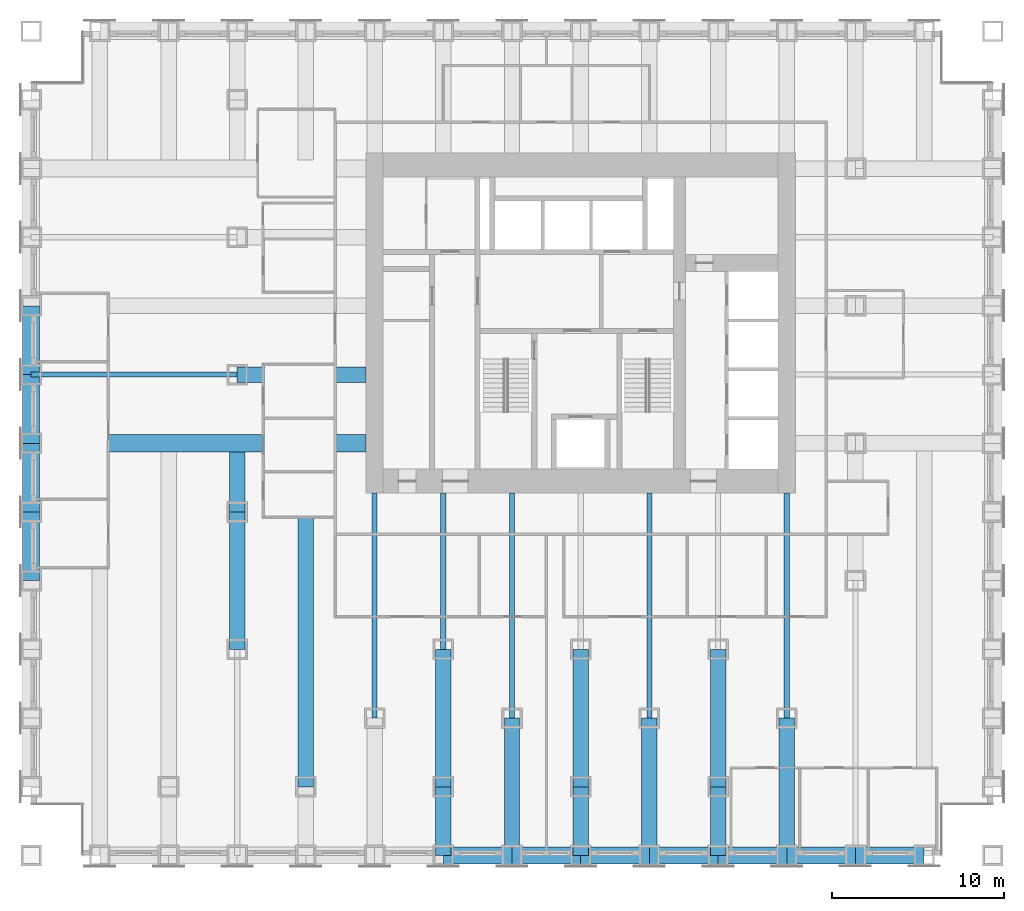
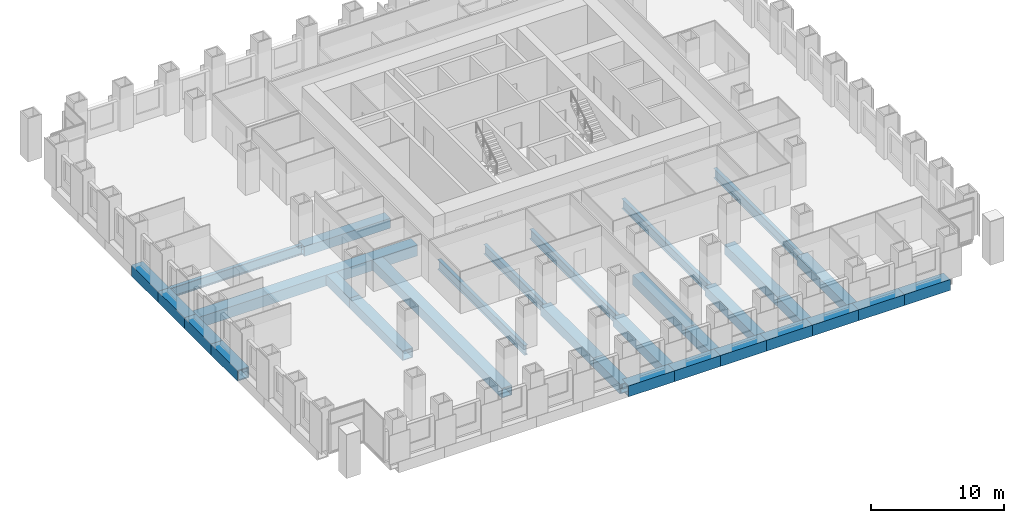
# One storey, part 3 of 15: 31 beams.
"""IFC4 building model written with IfcOpenShell, lengths in metres."""

from ifc_helpers import new_model, si_unit, direction, frame, origin, origin_2d, place, context, subcontext, project, spatial, hollow_rectangle, i_section, extrude, material, material_profile, profile_set, type_object, element, save


model = new_model("IFC4")

# Units and contexts
model_context = context("Model", 3, precision=1e-05, world=origin(), true_north=direction((0.0, 1.0)))
body_context = subcontext(model_context, "Body", "Model", "MODEL_VIEW")
ifc_project = project(units=[si_unit("LENGTHUNIT", "METRE"), si_unit("AREAUNIT", "SQUARE_METRE"), si_unit("VOLUMEUNIT", "CUBIC_METRE"), si_unit("PLANEANGLEUNIT", "RADIAN"), si_unit("MASSUNIT", "GRAM", prefix="KILO")], contexts=[model_context])

# Site, building, storey
site_placement = place(None, origin())
site = spatial("IfcSite", under=ifc_project, at=site_placement, CompositionType="ELEMENT")
building_placement = place(site_placement, origin())
building = spatial("IfcBuilding", under=site, at=building_placement, Name="Rimbunsela Tower", CompositionType="ELEMENT")
storey_placement = place(building_placement, frame((0.0, 0.0, 39.0)))
storey = spatial("IfcBuildingStorey", under=building, at=storey_placement, Name="L09", CompositionType="ELEMENT", Elevation=39.0)

# Beams
ifc_material_1 = material(Name="Steel BJ 55 (fy 410 MPa)", Category="steel")
ifc_material_profile_1 = material_profile(ifc_material_1, hollow_rectangle(XDim=1.0, YDim=1.0, WallThickness=0.10009765625, at=origin_2d()), Name="BOX 1000x1000x100")
ifc_profile_set_1 = profile_set([ifc_material_profile_1], Name="Steel BJ 55 (fy 410 MPa)")
beam_type_1 = type_object("IfcBeamType", Name="Beam BOX 1000x1000x100", PredefinedType="BEAM", material=ifc_profile_set_1)
for number, where, z_axis, x_axis, name in (
    (1, (-2.0, 12.0, -0.64990234375), (0.0, 1.0, 0.0), (-1.0, 0.0, 0.0), "Beam B3 L09"),
    (2, (-2.0, 16.0, -0.64990234375), (0.0, 1.0, 0.0), (-1.0, 0.0, 0.0), "Beam B3 L09"),
    (3, (-2.0, 20.0, -0.64990234375), (0.0, 1.0, 0.0), (-1.0, 0.0, 0.0), "Beam B3 L09"),
):
    element("IfcBeam", number, at=place(storey_placement, frame(where, z_axis=z_axis, x_axis=x_axis)), inside=storey, type_object=beam_type_1, Name=name, PredefinedType="BEAM", context=body_context, shape_type="SweptSolid", body=[
        extrude(hollow_rectangle(XDim=1.0, YDim=1.0, WallThickness=0.10009765625, at=origin_2d()), origin(), (0.0, 0.0, 1.0), 4.0),
    ])
beam_1_placement = place(storey_placement, frame((-2.0, 20.0, -0.64990234375), z_axis=(1.0, 0.0, 0.0), x_axis=(0.0, 1.0, 0.0)))
element("IfcBeam", 4, at=beam_1_placement, inside=storey, type_object=beam_type_1, Name="Beam B3 L09", PredefinedType="BEAM", context=body_context, shape_type="SweptSolid", body=[
    extrude(hollow_rectangle(XDim=1.0, YDim=1.0, WallThickness=0.10009765625, at=origin_2d()), origin(), (0.0, 0.0, 1.0), 19.5),
])
for number, where, z_axis, x_axis, name in (
    (5, (-2.0, 24.0, -0.64990234375), (0.0, 1.0, 0.0), (-1.0, 0.0, 0.0), "Beam B3 L09"),
    (6, (22.0, -4.0, -0.64990234375), (1.0, 0.0, 0.0), (0.0, 1.0, 0.0), "Beam B3 L09"),
    (7, (26.0, -4.0, -0.64990234375), (1.0, 0.0, 0.0), (0.0, 1.0, 0.0), "Beam B3 L09"),
    (8, (30.0, -4.0, -0.64990234375), (1.0, 0.0, 0.0), (0.0, 1.0, 0.0), "Beam B3 L09"),
    (9, (34.0, -4.0, -0.64990234375), (1.0, 0.0, 0.0), (0.0, 1.0, 0.0), "Beam B3 L09"),
    (10, (38.0, -4.0, -0.64990234375), (1.0, 0.0, 0.0), (0.0, 1.0, 0.0), "Beam B3 L09"),
    (11, (42.0, -4.0, -0.64990234375), (1.0, 0.0, 0.0), (0.0, 1.0, 0.0), "Beam B3 L09"),
    (12, (46.0, -4.0, -0.64990234375), (1.0, 0.0, 0.0), (0.0, 1.0, 0.0), "Beam B3 L09"),
):
    element("IfcBeam", number, at=place(storey_placement, frame(where, z_axis=z_axis, x_axis=x_axis)), inside=storey, type_object=beam_type_1, Name=name, PredefinedType="BEAM", context=body_context, shape_type="SweptSolid", body=[
        extrude(hollow_rectangle(XDim=1.0, YDim=1.0, WallThickness=0.10009765625, at=origin_2d()), origin(), (0.0, 0.0, 1.0), 4.0),
    ])
ifc_material_2 = material(Name="Steel BJ 55 (fy 410 MPa)", Category="steel")
ifc_material_profile_2 = material_profile(ifc_material_2, hollow_rectangle(XDim=0.89990234375, YDim=0.89990234375, WallThickness=0.06005859375, at=origin_2d()), Name="BOX 900x900x60")
ifc_profile_set_2 = profile_set([ifc_material_profile_2], Name="Steel BJ 55 (fy 410 MPa)")
beam_type_2 = type_object("IfcBeamType", Name="Beam BOX 900x900x60", PredefinedType="BEAM", material=ifc_profile_set_2)
beam_2_placement = place(storey_placement, frame((10.0, 8.0, -0.60009765625), z_axis=(0.0, 1.0, 0.0), x_axis=(-1.0, 0.0, 0.0)))
element("IfcBeam", 13, at=beam_2_placement, inside=storey, type_object=beam_type_2, Name="Beam B1 L09", PredefinedType="BEAM", context=body_context, shape_type="SweptSolid", body=[
    extrude(hollow_rectangle(XDim=0.89990234375, YDim=0.89990234375, WallThickness=0.06005859375, at=origin_2d()), origin(), (0.0, 0.0, 1.0), 8.0),
])
beam_3_placement = place(storey_placement, frame((10.0, 16.0, -0.60009765625), z_axis=(0.0, 1.0, 0.0), x_axis=(-1.0, 0.0, 0.0)))
element("IfcBeam", 14, at=beam_3_placement, inside=storey, type_object=beam_type_2, Name="Beam B1 L09", PredefinedType="BEAM", context=body_context, shape_type="SweptSolid", body=[
    extrude(hollow_rectangle(XDim=0.89990234375, YDim=0.89990234375, WallThickness=0.06005859375, at=origin_2d()), origin(), (0.0, 0.0, 1.0), 3.5),
])
beam_4_placement = place(storey_placement, frame((10.0, 24.0, -0.60009765625), z_axis=(1.0, 0.0, 0.0), x_axis=(0.0, 1.0, 0.0)))
element("IfcBeam", 15, at=beam_4_placement, inside=storey, type_object=beam_type_2, Name="Beam B1 L09", PredefinedType="BEAM", context=body_context, shape_type="SweptSolid", body=[
    extrude(hollow_rectangle(XDim=0.89990234375, YDim=0.89990234375, WallThickness=0.06005859375, at=origin_2d()), origin(), (0.0, 0.0, 1.0), 7.5),
])
beam_5_placement = place(storey_placement, frame((14.0, 0.0, -0.60009765625), z_axis=(0.0, 1.0, 0.0), x_axis=(-1.0, 0.0, 0.0)))
element("IfcBeam", 16, at=beam_5_placement, inside=storey, type_object=beam_type_2, Name="Beam B1 L09", PredefinedType="BEAM", context=body_context, shape_type="SweptSolid", body=[
    extrude(hollow_rectangle(XDim=0.89990234375, YDim=0.89990234375, WallThickness=0.06005859375, at=origin_2d()), origin(), (0.0, 0.0, 1.0), 19.5),
])
beam_6_placement = place(storey_placement, frame((22.0, -4.0, -0.60009765625), z_axis=(0.0, 1.0, 0.0), x_axis=(-1.0, 0.0, 0.0)))
element("IfcBeam", 17, at=beam_6_placement, inside=storey, type_object=beam_type_2, Name="Beam B1 L09", PredefinedType="BEAM", context=body_context, shape_type="SweptSolid", body=[
    extrude(hollow_rectangle(XDim=0.89990234375, YDim=0.89990234375, WallThickness=0.06005859375, at=origin_2d()), origin(), (0.0, 0.0, 1.0), 4.0),
])
for number, where, z_axis, x_axis, name in (
    (18, (22.0, 0.0, -0.60009765625), (0.0, 1.0, 0.0), (-1.0, 0.0, 0.0), "Beam B1 L09"),
    (19, (26.0, -4.0, -0.60009765625), (0.0, 1.0, 0.0), (-1.0, 0.0, 0.0), "Beam B1 L09"),
):
    element("IfcBeam", number, at=place(storey_placement, frame(where, z_axis=z_axis, x_axis=x_axis)), inside=storey, type_object=beam_type_2, Name=name, PredefinedType="BEAM", context=body_context, shape_type="SweptSolid", body=[
        extrude(hollow_rectangle(XDim=0.89990234375, YDim=0.89990234375, WallThickness=0.06005859375, at=origin_2d()), origin(), (0.0, 0.0, 1.0), 8.0),
    ])
beam_7_placement = place(storey_placement, frame((30.0, -4.0, -0.60009765625), z_axis=(0.0, 1.0, 0.0), x_axis=(-1.0, 0.0, 0.0)))
element("IfcBeam", 20, at=beam_7_placement, inside=storey, type_object=beam_type_2, Name="Beam B1 L09", PredefinedType="BEAM", context=body_context, shape_type="SweptSolid", body=[
    extrude(hollow_rectangle(XDim=0.89990234375, YDim=0.89990234375, WallThickness=0.06005859375, at=origin_2d()), origin(), (0.0, 0.0, 1.0), 4.0),
])
for number, where, z_axis, x_axis, name in (
    (21, (30.0, 0.0, -0.60009765625), (0.0, 1.0, 0.0), (-1.0, 0.0, 0.0), "Beam B1 L09"),
    (22, (34.0, -4.0, -0.60009765625), (0.0, 1.0, 0.0), (-1.0, 0.0, 0.0), "Beam B1 L09"),
):
    element("IfcBeam", number, at=place(storey_placement, frame(where, z_axis=z_axis, x_axis=x_axis)), inside=storey, type_object=beam_type_2, Name=name, PredefinedType="BEAM", context=body_context, shape_type="SweptSolid", body=[
        extrude(hollow_rectangle(XDim=0.89990234375, YDim=0.89990234375, WallThickness=0.06005859375, at=origin_2d()), origin(), (0.0, 0.0, 1.0), 8.0),
    ])
beam_8_placement = place(storey_placement, frame((38.0, -4.0, -0.60009765625), z_axis=(0.0, 1.0, 0.0), x_axis=(-1.0, 0.0, 0.0)))
element("IfcBeam", 23, at=beam_8_placement, inside=storey, type_object=beam_type_2, Name="Beam B1 L09", PredefinedType="BEAM", context=body_context, shape_type="SweptSolid", body=[
    extrude(hollow_rectangle(XDim=0.89990234375, YDim=0.89990234375, WallThickness=0.06005859375, at=origin_2d()), origin(), (0.0, 0.0, 1.0), 4.0),
])
for number, where, z_axis, x_axis, name in (
    (24, (38.0, 0.0, -0.60009765625), (0.0, 1.0, 0.0), (-1.0, 0.0, 0.0), "Beam B1 L09"),
    (25, (42.0, -4.0, -0.60009765625), (0.0, 1.0, 0.0), (-1.0, 0.0, 0.0), "Beam B1 L09"),
):
    element("IfcBeam", number, at=place(storey_placement, frame(where, z_axis=z_axis, x_axis=x_axis)), inside=storey, type_object=beam_type_2, Name=name, PredefinedType="BEAM", context=body_context, shape_type="SweptSolid", body=[
        extrude(hollow_rectangle(XDim=0.89990234375, YDim=0.89990234375, WallThickness=0.06005859375, at=origin_2d()), origin(), (0.0, 0.0, 1.0), 8.0),
    ])
ifc_material_3 = material(Name="Steel BJ 55 (fy 410 MPa)", Category="steel")
ifc_material_profile_3 = material_profile(ifc_material_3, i_section(OverallWidth=0.300048828125, OverallDepth=0.89990234375, WebThickness=0.01611328125, FlangeThickness=0.028076171875, FilletRadius=0.028076171875, at=origin_2d()), Name="H 900x300x16x28")
ifc_profile_set_3 = profile_set([ifc_material_profile_3], Name="Steel BJ 55 (fy 410 MPa)")
beam_type_3 = type_object("IfcBeamType", Name="Beam H 900x300x16x28", PredefinedType="BEAM", material=ifc_profile_set_3)
beam_9_placement = place(storey_placement, frame((-2.0, 24.0, -0.60009765625), z_axis=(1.0, 0.0, 0.0), x_axis=(0.0, 1.0, 0.0)))
element("IfcBeam", 26, at=beam_9_placement, inside=storey, type_object=beam_type_3, Name="Beam B2 L09", PredefinedType="BEAM", context=body_context, shape_type="SweptSolid", body=[
    extrude(i_section(OverallWidth=0.300048828125, OverallDepth=0.89990234375, WebThickness=0.01611328125, FlangeThickness=0.028076171875, FilletRadius=0.028076171875, at=origin_2d()), origin(), (0.0, 0.0, 1.0), 12.0),
])
beam_10_placement = place(storey_placement, frame((18.0, 4.0, -0.60009765625), z_axis=(0.0, 1.0, 0.0), x_axis=(-1.0, 0.0, 0.0)))
element("IfcBeam", 27, at=beam_10_placement, inside=storey, type_object=beam_type_3, Name="Beam B2 L09", PredefinedType="BEAM", context=body_context, shape_type="SweptSolid", body=[
    extrude(i_section(OverallWidth=0.300048828125, OverallDepth=0.89990234375, WebThickness=0.01611328125, FlangeThickness=0.028076171875, FilletRadius=0.028076171875, at=origin_2d()), origin(), (0.0, 0.0, 1.0), 13.10009765625),
])
beam_11_placement = place(storey_placement, frame((22.0, 8.0, -0.60009765625), z_axis=(0.0, 1.0, 0.0), x_axis=(-1.0, 0.0, 0.0)))
element("IfcBeam", 28, at=beam_11_placement, inside=storey, type_object=beam_type_3, Name="Beam B2 L09", PredefinedType="BEAM", context=body_context, shape_type="SweptSolid", body=[
    extrude(i_section(OverallWidth=0.300048828125, OverallDepth=0.89990234375, WebThickness=0.01611328125, FlangeThickness=0.028076171875, FilletRadius=0.028076171875, at=origin_2d()), origin(), (0.0, 0.0, 1.0), 9.10009765625),
])
for number, where, z_axis, x_axis, name in (
    (29, (26.0, 4.0, -0.60009765625), (0.0, 1.0, 0.0), (-1.0, 0.0, 0.0), "Beam B2 L09"),
    (30, (34.0, 4.0, -0.60009765625), (0.0, 1.0, 0.0), (-1.0, 0.0, 0.0), "Beam B2 L09"),
    (31, (42.0, 4.0, -0.60009765625), (0.0, 1.0, 0.0), (-1.0, 0.0, 0.0), "Beam B2 L09"),
):
    element("IfcBeam", number, at=place(storey_placement, frame(where, z_axis=z_axis, x_axis=x_axis)), inside=storey, type_object=beam_type_3, Name=name, PredefinedType="BEAM", context=body_context, shape_type="SweptSolid", body=[
        extrude(i_section(OverallWidth=0.300048828125, OverallDepth=0.89990234375, WebThickness=0.01611328125, FlangeThickness=0.028076171875, FilletRadius=0.028076171875, at=origin_2d()), origin(), (0.0, 0.0, 1.0), 13.10009765625),
    ])

save(model, "model.ifc")
